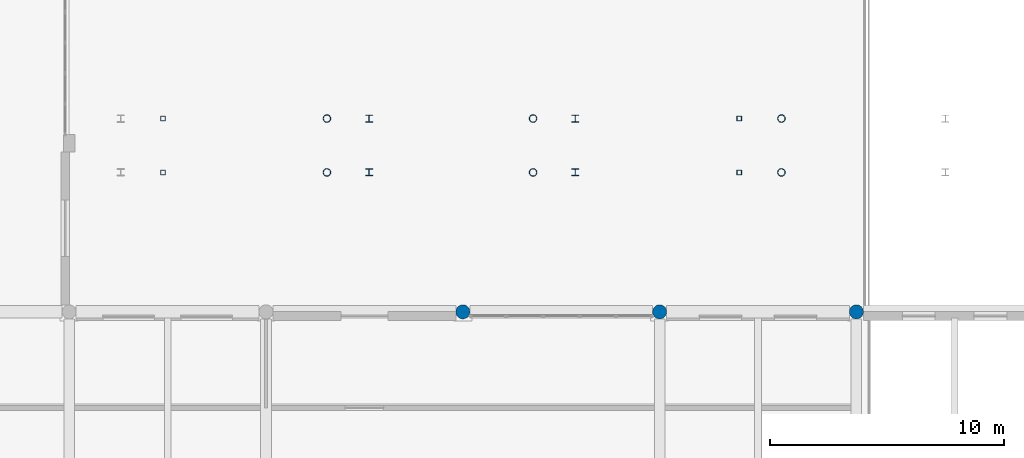
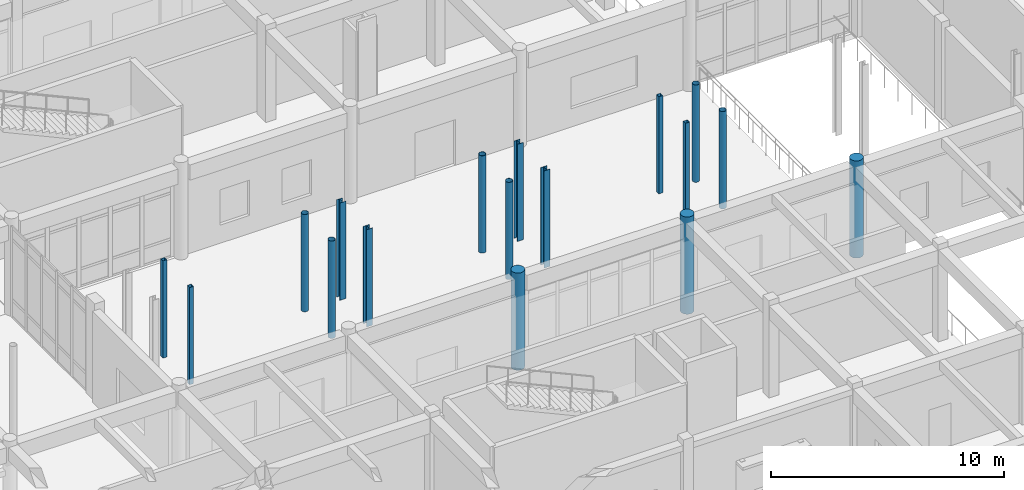
# One storey, part 8 of 121: 17 columns.
"""IFC4 building model written with IfcOpenShell, lengths in metres."""

from ifc_helpers import new_model, si_unit, direction, frame, origin, origin_2d, place, context, subcontext, project, spatial, hollow_rectangle, circle, hollow_circle, i_section, extrude, material, material_profile, profile_set, type_object, element, save


model = new_model("IFC4")

# Units and contexts
model_context = context("Model", 3, precision=1e-05, world=origin(), true_north=direction((0.0, 1.0)))
body_context = subcontext(model_context, "Body", "Model", "MODEL_VIEW")
ifc_project = project(units=[si_unit("LENGTHUNIT", "METRE"), si_unit("AREAUNIT", "SQUARE_METRE"), si_unit("VOLUMEUNIT", "CUBIC_METRE"), si_unit("PLANEANGLEUNIT", "RADIAN"), si_unit("MASSUNIT", "GRAM", prefix="KILO")], contexts=[model_context])

# Site, building, storey
site_placement = place(None, origin())
site = spatial("IfcSite", under=ifc_project, at=site_placement, CompositionType="ELEMENT")
building_placement = place(site_placement, origin())
building = spatial("IfcBuilding", under=site, at=building_placement, Name="Malvenik Polytechnic", CompositionType="ELEMENT")
storey_placement = place(building_placement, origin())
storey = spatial("IfcBuildingStorey", under=building, at=storey_placement, Name="L00", CompositionType="ELEMENT", Elevation=0.0)

# Columns
ifc_material_1 = material(Name="Concrete C35/45", Category="concrete")
ifc_material_profile_1 = material_profile(ifc_material_1, circle(Radius=0.300048828125, at=origin_2d()), Name="RC COL D600")
ifc_profile_set_1 = profile_set([ifc_material_profile_1], Name="Concrete C35/45")
column_type_1 = type_object("IfcColumnType", Name="STR-COL-C-18", PredefinedType="COLUMN", material=ifc_profile_set_1)
for number, where, z_axis, x_axis, name in (
    (1, (109.199951171875, 36.0, 0.0), (0.0, 0.0, 1.0), (1.0, 0.0, 0.0), "Column C-18 L00 (109.2,36.0)"),
    (2, (117.60009765625, 36.0, 0.0), (0.0, 0.0, 1.0), (1.0, 0.0, 0.0), "Column C-18 L00 (117.6,36.0)"),
    (3, (126.0, 36.0, 0.0), (0.0, 0.0, 1.0), (1.0, 0.0, 0.0), "Column C-18 L00 (126.0,36.0)"),
):
    element("IfcColumn", number, at=place(storey_placement, frame(where, z_axis=z_axis, x_axis=x_axis)), inside=storey, type_object=column_type_1, Name=name, PredefinedType="COLUMN", context=body_context, shape_type="SweptSolid", body=[
        extrude(circle(Radius=0.300048828125, at=origin_2d()), origin(), (0.0, 0.0, 1.0), 5.10009765625),
    ])
ifc_material_2 = material(Name="Steel S355J2H", Category="steel")
ifc_material_profile_2 = material_profile(ifc_material_2, hollow_rectangle(XDim=0.199951171875, YDim=0.199951171875, WallThickness=0.010009765625, at=origin_2d()), Name="SHS 200x200x10.0")
ifc_profile_set_2 = profile_set([ifc_material_profile_2], Name="Steel S355J2H")
column_type_2 = type_object("IfcColumnType", Name="STR-SCOL-SC-02", PredefinedType="COLUMN", material=ifc_profile_set_2)
for number, where, z_axis, x_axis, name in (
    (4, (96.39990234375, 41.949951171875, 0.0), (0.0, 0.0, 1.0), (1.0, 0.0, 0.0), "Bridge-Ramp Support Column SC-02 L00"),
    (5, (96.39990234375, 44.25, 0.0), (0.0, 0.0, 1.0), (1.0, 0.0, 0.0), "Bridge-Ramp Support Column SC-02 L00"),
    (6, (121.0, 41.949951171875, 0.0), (0.0, 0.0, 1.0), (1.0, 0.0, 0.0), "Bridge-Ramp Support Column SC-02 L00"),
    (7, (121.0, 44.25, 0.0), (0.0, 0.0, 1.0), (1.0, 0.0, 0.0), "Bridge-Ramp Support Column SC-02 L00"),
):
    element("IfcColumn", number, at=place(storey_placement, frame(where, z_axis=z_axis, x_axis=x_axis)), inside=storey, type_object=column_type_2, Name=name, PredefinedType="COLUMN", context=body_context, shape_type="SweptSolid", body=[
        extrude(hollow_rectangle(XDim=0.199951171875, YDim=0.199951171875, WallThickness=0.010009765625, at=origin_2d()), origin(), (0.0, 0.0, 1.0), 5.10009765625),
    ])
ifc_material_profile_3 = material_profile(ifc_material_2, hollow_circle(Radius=0.161865234375, WallThickness=0.012451171875, at=origin_2d()), Name="CHS 323.9x12.5")
ifc_profile_set_3 = profile_set([ifc_material_profile_3], Name="Steel S355J2H")
column_type_3 = type_object("IfcColumnType", Name="STR-SCOL-SC-04", PredefinedType="COLUMN", material=ifc_profile_set_3)
for number, where, z_axis, x_axis, name in (
    (8, (103.39990234375, 41.949951171875, 0.0), (0.0, 0.0, 1.0), (1.0, 0.0, 0.0), "Bridge-Ramp Support Column SC-04 L00"),
    (9, (103.39990234375, 44.25, 0.0), (0.0, 0.0, 1.0), (1.0, 0.0, 0.0), "Bridge-Ramp Support Column SC-04 L00"),
    (10, (112.199951171875, 41.949951171875, 0.0), (0.0, 0.0, 1.0), (1.0, 0.0, 0.0), "Bridge-Ramp Support Column SC-04 L00"),
    (11, (112.199951171875, 44.25, 0.0), (0.0, 0.0, 1.0), (1.0, 0.0, 0.0), "Bridge-Ramp Support Column SC-04 L00"),
    (12, (122.800048828125, 41.949951171875, 0.0), (0.0, 0.0, 1.0), (1.0, 0.0, 0.0), "Bridge-Ramp Support Column SC-04 L00"),
    (13, (122.800048828125, 44.25, 0.0), (0.0, 0.0, 1.0), (1.0, 0.0, 0.0), "Bridge-Ramp Support Column SC-04 L00"),
):
    element("IfcColumn", number, at=place(storey_placement, frame(where, z_axis=z_axis, x_axis=x_axis)), inside=storey, type_object=column_type_3, Name=name, PredefinedType="COLUMN", context=body_context, shape_type="SweptSolid", body=[
        extrude(hollow_circle(Radius=0.161865234375, WallThickness=0.012451171875, at=origin_2d()), origin(), (0.0, 0.0, 1.0), 5.10009765625),
    ])
ifc_material_3 = material(Name="Steel S355", Category="steel")
ifc_material_profile_4 = material_profile(ifc_material_3, i_section(OverallWidth=0.300048828125, OverallDepth=0.300048828125, WebThickness=0.010986328125, FlangeThickness=0.01904296875, FilletRadius=0.027099609375, at=origin_2d()), Name="HEB 300")
ifc_profile_set_4 = profile_set([ifc_material_profile_4], Name="Steel S355")
column_type_4 = type_object("IfcColumnType", Name="STR-SCOL-SC-05", PredefinedType="COLUMN", material=ifc_profile_set_4)
for number, where, z_axis, x_axis, name in (
    (14, (105.199951171875, 41.949951171875, 0.0), (0.0, 0.0, 1.0), (1.0, 0.0, 0.0), "Bridge-Ramp Support Column SC-05 L00"),
    (15, (105.199951171875, 44.25, 0.0), (0.0, 0.0, 1.0), (1.0, 0.0, 0.0), "Bridge-Ramp Support Column SC-05 L00"),
    (16, (114.0, 41.949951171875, 0.0), (0.0, 0.0, 1.0), (1.0, 0.0, 0.0), "Bridge-Ramp Support Column SC-05 L00"),
    (17, (114.0, 44.25, 0.0), (0.0, 0.0, 1.0), (1.0, 0.0, 0.0), "Bridge-Ramp Support Column SC-05 L00"),
):
    element("IfcColumn", number, at=place(storey_placement, frame(where, z_axis=z_axis, x_axis=x_axis)), inside=storey, type_object=column_type_4, Name=name, PredefinedType="COLUMN", context=body_context, shape_type="SweptSolid", body=[
        extrude(i_section(OverallWidth=0.300048828125, OverallDepth=0.300048828125, WebThickness=0.010986328125, FlangeThickness=0.01904296875, FilletRadius=0.027099609375, at=origin_2d()), origin(), (0.0, 0.0, 1.0), 5.10009765625),
    ])

save(model, "model.ifc")
